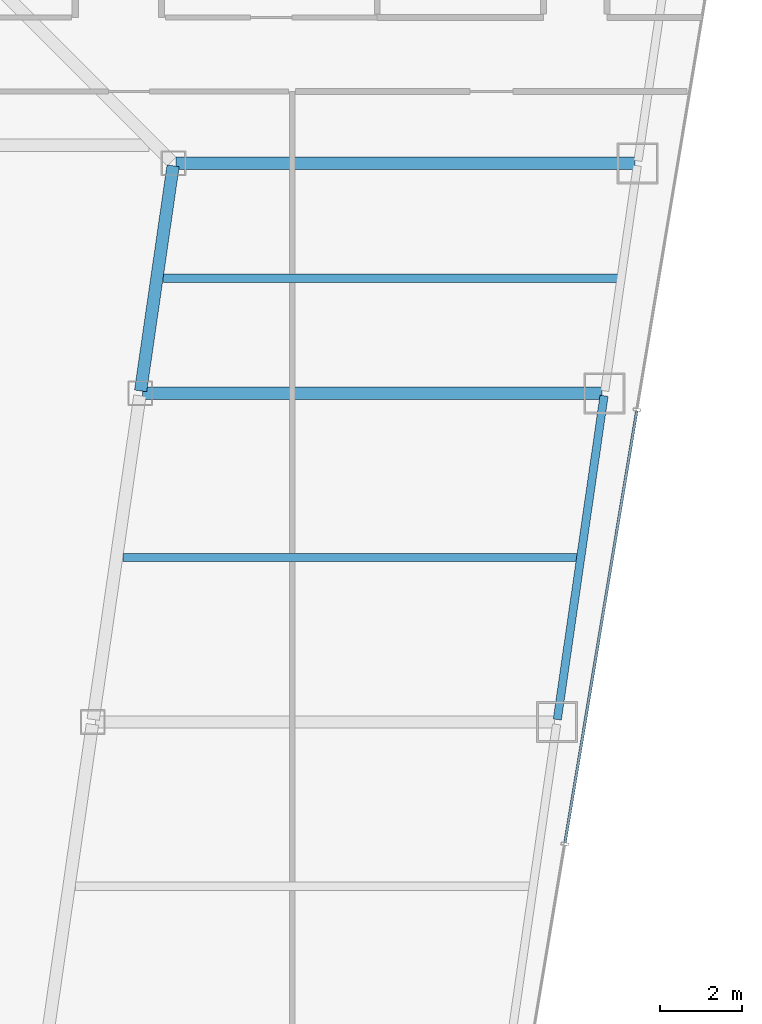
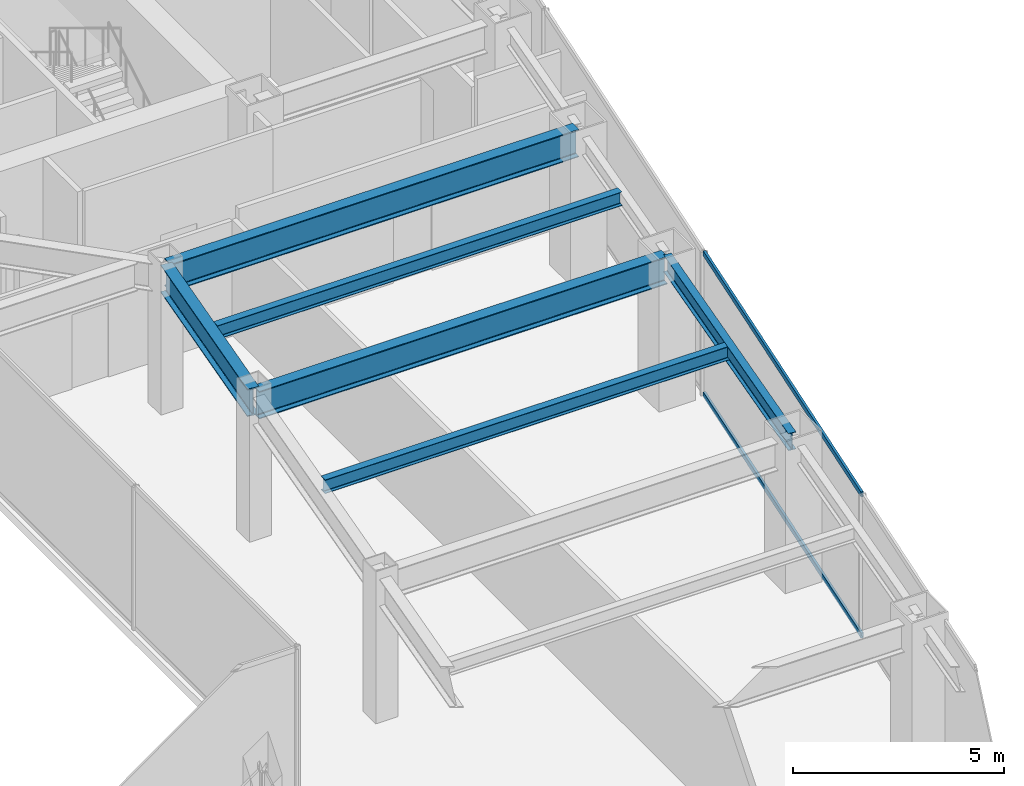
# One storey, part 18 of 37: 6 beams, 2 members, 1 element without a shape of its own.
"""IFC4 building model written with IfcOpenShell, lengths in metres."""

from ifc_helpers import new_model, si_unit, direction, frame, origin, origin_2d, place, context, subcontext, project, spatial, hollow_rectangle, i_section, extrude, material, material_profile, profile_set, type_object, element, aggregate, save


model = new_model("IFC4")

# Units and contexts
model_context = context("Model", 3, precision=1e-05, world=origin(), true_north=direction((0.0, 1.0)))
body_context = subcontext(model_context, "Body", "Model", "MODEL_VIEW")
ifc_project = project(units=[si_unit("LENGTHUNIT", "METRE"), si_unit("AREAUNIT", "SQUARE_METRE"), si_unit("VOLUMEUNIT", "CUBIC_METRE"), si_unit("PLANEANGLEUNIT", "RADIAN"), si_unit("MASSUNIT", "GRAM", prefix="KILO")], contexts=[model_context])

# Site, building, storey
site_placement = place(None, origin())
site = spatial("IfcSite", under=ifc_project, at=site_placement, CompositionType="ELEMENT")
building_placement = place(site_placement, origin())
building = spatial("IfcBuilding", under=site, at=building_placement, Name="Saevonmaru Cultural Tower", CompositionType="ELEMENT")
storey_placement = place(building_placement, frame((0.0, 0.0, 110.39990234375)))
storey = spatial("IfcBuildingStorey", under=building, at=storey_placement, Name="L23", CompositionType="ELEMENT", Elevation=110.39990234375)

# Beams
ifc_material_1 = material(Name="Steel SM420", Category="steel")
ifc_material_profile_1 = material_profile(ifc_material_1, i_section(OverallWidth=0.300048828125, OverallDepth=0.800048828125, WebThickness=0.013916015625, FlangeThickness=0.02587890625, FilletRadius=0.028076171875, at=origin_2d()), Name="H-800x300x14x26")
ifc_profile_set_1 = profile_set([ifc_material_profile_1], Name="Steel SM420")
beam_type_1 = type_object("IfcBeamType", Name="BM-G-H800", PredefinedType="BEAM", material=ifc_profile_set_1)
beam_1_placement = place(storey_placement, frame((40.3916015625, 32.059326171875, 3.75), z_axis=(0.142964121327, 0.989727871697, 0.0), x_axis=(-0.989727871697, 0.142964121327, 0.0)))
element("IfcBeam", 1, at=beam_1_placement, inside=storey, type_object=beam_type_1, Name="L23 East Atrium Girder 4", PredefinedType="BEAM", context=body_context, shape_type="SweptSolid", body=[
    extrude(i_section(OverallWidth=0.300048828125, OverallDepth=0.800048828125, WebThickness=0.013916015625, FlangeThickness=0.02587890625, FilletRadius=0.028076171875, at=origin_2d()), origin(), (0.0, 0.0, 1.0), 5.5380859375),
])
for number, where, z_axis, x_axis, name in (
    (2, (40.443115234375, 32.0, 3.75), (1.0, 0.0, 0.0), (0.0, 1.0, 0.0), "L23 East Wing Transverse Girder 4"),
    (3, (41.251953125, 37.60009765625, 3.75), (1.0, 0.0, 0.0), (0.0, 1.0, 0.0), "L23 East Wing Transverse Girder 5"),
):
    element("IfcBeam", number, at=place(storey_placement, frame(where, z_axis=z_axis, x_axis=x_axis)), inside=storey, type_object=beam_type_1, Name=name, PredefinedType="BEAM", context=body_context, shape_type="SweptSolid", body=[
        extrude(i_section(OverallWidth=0.300048828125, OverallDepth=0.800048828125, WebThickness=0.013916015625, FlangeThickness=0.02587890625, FilletRadius=0.028076171875, at=origin_2d()), origin(), (0.0, 0.0, 1.0), 11.179931640625),
    ])
ifc_material_2 = material(Name="Steel SM355", Category="steel")
ifc_material_profile_2 = material_profile(ifc_material_2, i_section(OverallWidth=0.199951171875, OverallDepth=0.39990234375, WebThickness=0.008056640625, FlangeThickness=0.012939453125, FilletRadius=0.01611328125, at=origin_2d()), Name="H-400x200x8x13")
ifc_profile_set_2 = profile_set([ifc_material_profile_2], Name="Steel SM355")
beam_type_2 = type_object("IfcBeamType", Name="BM-J-H400", PredefinedType="JOIST", material=ifc_profile_set_2)
for number, where, z_axis, x_axis, name in (
    (4, (39.96337890625, 28.0, 3.9501953125), (1.0, 0.0, 0.0), (0.0, 1.0, 0.0), "L23 East Wing Floor Joist 3"),
    (5, (40.945556640625, 34.800048828125, 3.9501953125), (1.0, 0.0, 0.0), (0.0, 1.0, 0.0), "L23 East Wing Floor Joist 4"),
):
    element("IfcBeam", number, at=place(storey_placement, frame(where, z_axis=z_axis, x_axis=x_axis)), inside=storey, type_object=beam_type_2, Name=name, PredefinedType="JOIST", context=body_context, shape_type="SweptSolid", body=[
        extrude(i_section(OverallWidth=0.199951171875, OverallDepth=0.39990234375, WebThickness=0.008056640625, FlangeThickness=0.012939453125, FilletRadius=0.01611328125, at=origin_2d()), origin(), (0.0, 0.0, 1.0), 11.08203125),
    ])
ifc_material_profile_3 = material_profile(ifc_material_2, i_section(OverallWidth=0.199951171875, OverallDepth=0.5, WebThickness=0.010009765625, FlangeThickness=0.01611328125, FilletRadius=0.02001953125, at=origin_2d()), Name="H-500x200x10x16")
ifc_profile_set_3 = profile_set([ifc_material_profile_3], Name="Steel SM355")
beam_type_3 = type_object("IfcBeamType", Name="BM-SP-H500", PredefinedType="SPANDREL", material=ifc_profile_set_3)
beam_2_placement = place(storey_placement, frame((50.53662109375, 24.059326171875, 3.900146484375), z_axis=(0.142871999001, 0.989741174197, 0.0), x_axis=(-0.989741174197, 0.142871999001, 0.0)))
element("IfcBeam", 6, at=beam_2_placement, inside=storey, type_object=beam_type_3, Name="L23 East Splayed Spandrel 3", PredefinedType="SPANDREL", context=body_context, shape_type="SweptSolid", body=[
    extrude(i_section(OverallWidth=0.199951171875, OverallDepth=0.5, WebThickness=0.010009765625, FlangeThickness=0.01611328125, FilletRadius=0.02001953125, at=origin_2d()), origin(), (0.0, 0.0, 1.0), 7.963134765625),
])

# Curtain wall, members
ifc_material_3 = material(Name="Satin Bronze Anodised Aluminium", Category="aluminium")
curtain_wall_type = type_object("IfcCurtainWallType", Name="CW-TYP-A", PredefinedType="NOTDEFINED", material=ifc_material_3)
curtain_wall_placement = place(storey_placement, origin())
curtain_wall = element("IfcCurtainWall", 7, at=curtain_wall_placement, inside=storey, type_object=curtain_wall_type, Name="L23 Unitised Curtain Wall E8", PredefinedType="NOTDEFINED")
ifc_material_profile_4 = material_profile(ifc_material_3, hollow_rectangle(XDim=0.06494140625, YDim=0.14990234375, WallThickness=0.00390625, at=origin_2d()), Name="ALU-TRAN-150x65x4")
ifc_profile_set_4 = profile_set([ifc_material_profile_4], Name="Satin Bronze Anodised Aluminium")
member_type = type_object("IfcMemberType", Name="TR-CW-150x65", PredefinedType="USERDEFINED", material=ifc_profile_set_4)
member_1_placement = place(storey_placement, frame((50.7236328125, 21.061767578125, 0.03271484375), z_axis=(0.163993787386, 0.98646137162, 0.0), x_axis=(-0.98646137162, 0.163993787386, 0.0)))
member_1 = element("IfcMember", 8, at=member_1_placement, type_object=member_type, Name="CW-TW-L23-E8 transom 2.1", ObjectType="TRANSOM", PredefinedType="USERDEFINED", context=body_context, shape_type="SweptSolid", body=[
    extrude(hollow_rectangle(XDim=0.06494140625, YDim=0.14990234375, WallThickness=0.00390625, at=origin_2d()), origin(), (0.0, 0.0, 1.0), 10.650390625),
])
member_2_placement = place(storey_placement, frame((50.7236328125, 21.061767578125, 4.11767578125), z_axis=(0.163993787386, 0.98646137162, 0.0), x_axis=(-0.98646137162, 0.163993787386, 0.0)))
member_2 = element("IfcMember", 9, at=member_2_placement, type_object=member_type, Name="CW-TW-L23-E8 transom 2.2", ObjectType="TRANSOM", PredefinedType="USERDEFINED", context=body_context, shape_type="SweptSolid", body=[
    extrude(hollow_rectangle(XDim=0.06494140625, YDim=0.14990234375, WallThickness=0.00390625, at=origin_2d()), origin(), (0.0, 0.0, 1.0), 10.650390625),
])
aggregate(curtain_wall, [member_1, member_2])

save(model, "model.ifc")
